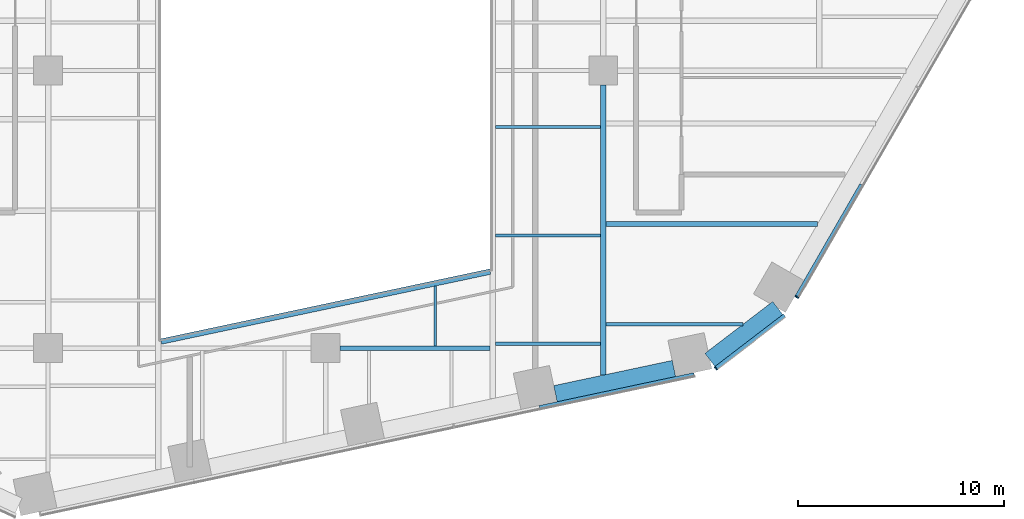
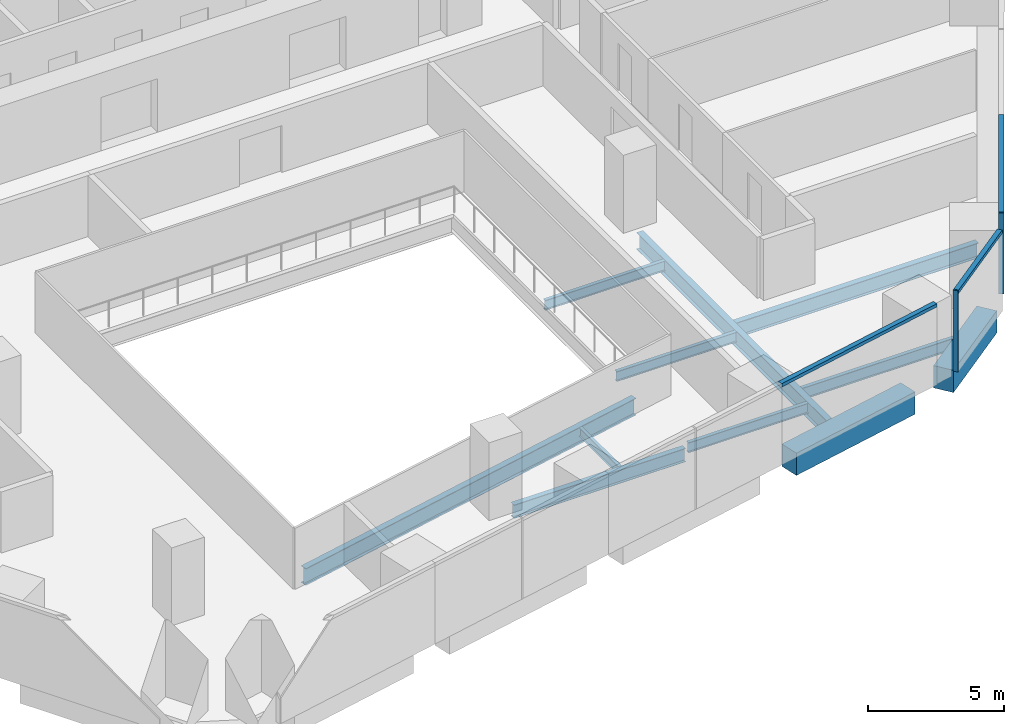
# One storey, part 5 of 20: 11 beams, 5 members, 3 elements without a shape of their own.
"""IFC4 building model written with IfcOpenShell, lengths in metres."""

from ifc_helpers import new_model, si_unit, direction, frame, origin, origin_2d, place, context, subcontext, project, spatial, rectangle, i_section, extrude, material, layer, layer_set, material_profile, profile_set, type_object, element, aggregate, save


model = new_model("IFC4")

# Units and contexts
model_context = context("Model", 3, precision=1e-05, world=origin(), true_north=direction((0.0, 1.0)))
body_context = subcontext(model_context, "Body", "Model", "MODEL_VIEW")
ifc_project = project(units=[si_unit("LENGTHUNIT", "METRE"), si_unit("AREAUNIT", "SQUARE_METRE"), si_unit("VOLUMEUNIT", "CUBIC_METRE"), si_unit("PLANEANGLEUNIT", "RADIAN"), si_unit("MASSUNIT", "GRAM", prefix="KILO")], contexts=[model_context])

# Site, building, storey
site_placement = place(None, origin())
site = spatial("IfcSite", under=ifc_project, at=site_placement, CompositionType="ELEMENT")
building_placement = place(site_placement, origin())
building = spatial("IfcBuilding", under=site, at=building_placement, Name="Isthmus Gate Tower", CompositionType="ELEMENT")
storey_placement = place(building_placement, frame((0.0, 0.0, 57.89990234375)))
storey = spatial("IfcBuildingStorey", under=building, at=storey_placement, Name="L12", CompositionType="ELEMENT", Elevation=57.89990234375)

# Curtain wall, member
ifc_material_1 = material(Name="Aluminium, pale champagne anodised", Category="aluminium")
ifc_layer = layer(ifc_material_1, 0.199951171875)
ifc_layer_set = layer_set([ifc_layer], Name="CW-1 UNITISED CURTAIN WALL 200 DEEP")
curtain_wall_type = type_object("IfcCurtainWallType", Name="CW-1 UNITISED CURTAIN WALL 200 DEEP", PredefinedType="NOTDEFINED", material=ifc_layer_set)
curtain_wall_1_placement = place(storey_placement, origin())
curtain_wall_1 = element("IfcCurtainWall", 1, at=curtain_wall_1_placement, inside=storey, type_object=curtain_wall_type, Name="CW-1 S-SE L12", PredefinedType="NOTDEFINED")
ifc_material_2 = material(Name="Aluminium, pale champagne anodised", Category="aluminium")
ifc_material_profile_1 = material_profile(ifc_material_2, rectangle(XDim=0.06005859375, YDim=0.199951171875, at=origin_2d()), Name="60x200")
ifc_profile_set_1 = profile_set([ifc_material_profile_1], Name="Aluminium, pale champagne anodised")
member_type_1 = type_object("IfcMemberType", Name="CW-1 MULLION 60 X 200", PredefinedType="MULLION", material=ifc_profile_set_1)
member_1_placement = place(storey_placement, frame((18.978759765625, -27.982421875, 0.0), z_axis=(0.0, 0.0, 1.0), x_axis=(0.794188594387, 0.607671355706, 0.0)))
member_1 = element("IfcMember", 2, at=member_1_placement, type_object=member_type_1, Name="CW-1 mullion", PredefinedType="MULLION", context=body_context, shape_type="SweptSolid", body=[
    extrude(rectangle(XDim=0.06005859375, YDim=0.199951171875, at=origin_2d()), origin(), (0.0, 0.0, 1.0), 3.650146484375),
])

curtain_wall_2_placement = place(storey_placement, origin())
curtain_wall_2 = element("IfcCurtainWall", 3, at=curtain_wall_2_placement, inside=storey, type_object=curtain_wall_type, Name="CW-1 SE L12", PredefinedType="NOTDEFINED")
member_2_placement = place(storey_placement, frame((22.91357421875, -24.5126953125, 0.0), z_axis=(0.0, 0.0, 1.0), x_axis=(0.5, 0.866025403784, 0.0)))
member_2 = element("IfcMember", 4, at=member_2_placement, type_object=member_type_1, Name="CW-1 mullion", PredefinedType="MULLION", context=body_context, shape_type="SweptSolid", body=[
    extrude(rectangle(XDim=0.06005859375, YDim=0.199951171875, at=origin_2d()), origin(), (0.0, 0.0, 1.0), 3.650146484375),
])

curtain_wall_3_placement = place(storey_placement, origin())
curtain_wall_3 = element("IfcCurtainWall", 5, at=curtain_wall_3_placement, inside=storey, type_object=curtain_wall_type, Name="CW-1 S L12", PredefinedType="NOTDEFINED")
ifc_material_3 = material(Name="Aluminium, pale champagne anodised", Category="aluminium")
ifc_material_profile_2 = material_profile(ifc_material_3, rectangle(XDim=0.199951171875, YDim=0.14990234375, at=origin_2d()), Name="200x150")
ifc_profile_set_2 = profile_set([ifc_material_profile_2], Name="Aluminium, pale champagne anodised")
member_type_2 = type_object("IfcMemberType", Name="CW-1 TRANSOM 200 X 150", PredefinedType="USERDEFINED", material=ifc_profile_set_2)
member_3_placement = place(storey_placement, frame((10.400146484375, -29.8916015625, 3.5751953125), z_axis=(0.978149085817, 0.207904703929, 0.0), x_axis=(-0.207904703929, 0.978149085817, 0.0)))
member_3 = element("IfcMember", 6, at=member_3_placement, type_object=member_type_2, Name="CW-1 transom", ObjectType="TRANSOM", PredefinedType="USERDEFINED", context=body_context, shape_type="SweptSolid", body=[
    extrude(rectangle(XDim=0.199951171875, YDim=0.14990234375, at=origin_2d()), origin(), (0.0, 0.0, 1.0), 7.689208984375),
])
aggregate(curtain_wall_3, [member_3])

# Member
member_4_placement = place(storey_placement, frame((19.002685546875, -27.96435546875, 3.5751953125), z_axis=(0.794175498212, 0.607688471209, 0.0), x_axis=(-0.607688471209, 0.794175498212, 0.0)))
member_4 = element("IfcMember", 7, at=member_4_placement, type_object=member_type_2, Name="CW-1 transom", ObjectType="TRANSOM", PredefinedType="USERDEFINED", context=body_context, shape_type="SweptSolid", body=[
    extrude(rectangle(XDim=0.199951171875, YDim=0.14990234375, at=origin_2d()), origin(), (0.0, 0.0, 1.0), 4.181396484375),
])

aggregate(curtain_wall_1, [member_1, member_4])

member_5_placement = place(storey_placement, frame((22.928466796875, -24.486572265625, 3.5751953125), z_axis=(0.50002426866, 0.866011391814, 0.0), x_axis=(-0.866011391814, 0.50002426866, 0.0)))
member_5 = element("IfcMember", 8, at=member_5_placement, type_object=member_type_2, Name="CW-1 transom", ObjectType="TRANSOM", PredefinedType="USERDEFINED", context=body_context, shape_type="SweptSolid", body=[
    extrude(rectangle(XDim=0.199951171875, YDim=0.14990234375, at=origin_2d()), origin(), (0.0, 0.0, 1.0), 6.278564453125),
])

aggregate(curtain_wall_2, [member_2, member_5])

# Beams
ifc_material_4 = material(Name="Concrete f'c 70 MPa", Category="concrete")
ifc_material_profile_3 = material_profile(ifc_material_4, rectangle(XDim=0.800048828125, YDim=1.0, at=origin_2d()), Name="RC 800X1000")
ifc_profile_set_3 = profile_set([ifc_material_profile_3], Name="Concrete f'c 70 MPa")
beam_type_1 = type_object("IfcBeamType", Name="RC SPANDREL 800 X 1000", PredefinedType="SPANDREL", material=ifc_profile_set_3)
beam_1_placement = place(storey_placement, frame((21.98681640625, -25.051513671875, -0.5), z_axis=(-0.794205941875, -0.607648682949, 0.0), x_axis=(0.607648682949, -0.794205941875, 0.0)))
element("IfcBeam", 9, at=beam_1_placement, inside=storey, type_object=beam_type_1, Name="str-spandrel-L12-09", PredefinedType="SPANDREL", context=body_context, shape_type="SweptSolid", body=[
    extrude(rectangle(XDim=0.800048828125, YDim=1.0, at=origin_2d()), origin(), (0.0, 0.0, 1.0), 4.15234375),
])
beam_2_placement = place(storey_placement, frame((16.937255859375, -27.990966796875, -0.5), z_axis=(-0.97815168619, -0.207892469327, 0.0), x_axis=(0.207892469327, -0.97815168619, 0.0)))
element("IfcBeam", 10, at=beam_2_placement, inside=storey, type_object=beam_type_1, Name="str-spandrel-L12-10", PredefinedType="SPANDREL", context=body_context, shape_type="SweptSolid", body=[
    extrude(rectangle(XDim=0.800048828125, YDim=1.0, at=origin_2d()), origin(), (0.0, 0.0, 1.0), 5.889404296875),
])
ifc_material_5 = material(Name="Structural steel ASTM A992 Gr 50", Category="steel")
ifc_material_profile_4 = material_profile(ifc_material_5, i_section(OverallWidth=0.1396484375, OverallDepth=0.4033203125, WebThickness=0.00634765625, FlangeThickness=0.010986328125, at=origin_2d()), Name="W16X31")
ifc_profile_set_4 = profile_set([ifc_material_profile_4], Name="Structural steel ASTM A992 Gr 50")
beam_type_2 = type_object("IfcBeamType", Name="STEEL FLOOR BEAM W16X31", PredefinedType="JOIST", material=ifc_profile_set_4)
beam_3_placement = place(storey_placement, frame((5.333251953125, -26.8857421875, -0.3515625), z_axis=(0.0, 1.0, 0.0), x_axis=(-1.0, 0.0, 0.0)))
element("IfcBeam", 11, at=beam_3_placement, inside=storey, type_object=beam_type_2, Name="str-beam-L12-17-00", PredefinedType="JOIST", context=body_context, shape_type="SweptSolid", body=[
    extrude(i_section(OverallWidth=0.1396484375, OverallDepth=0.4033203125, WebThickness=0.00634765625, FlangeThickness=0.010986328125, at=origin_2d()), origin(), (0.0, 0.0, 1.0), 2.903076171875),
])
ifc_material_6 = material(Name="Structural steel ASTM A992 Gr 50", Category="steel")
ifc_material_profile_5 = material_profile(ifc_material_6, i_section(OverallWidth=0.15234375, OverallDepth=0.45068359375, WebThickness=0.0078125, FlangeThickness=0.010986328125, at=origin_2d()), Name="W18X35")
ifc_profile_set_5 = profile_set([ifc_material_profile_5], Name="Structural steel ASTM A992 Gr 50")
beam_type_3 = type_object("IfcBeamType", Name="STEEL FLOOR BEAM W18X35", PredefinedType="JOIST", material=ifc_profile_set_5)
for number, where, z_axis, x_axis, name in (
    (12, (8.263427734375, -26.788818359375, -0.375244140625), (1.0, 0.0, 0.0), (0.0, 1.0, 0.0), "str-beam-L12-22-00"),
    (13, (8.263427734375, -21.51513671875, -0.375244140625), (1.0, 0.0, 0.0), (0.0, 1.0, 0.0), "str-beam-L12-22-01"),
    (14, (8.263427734375, -16.241455078125, -0.375244140625), (1.0, 0.0, 0.0), (0.0, 1.0, 0.0), "str-beam-L12-22-02"),
):
    element("IfcBeam", number, at=place(storey_placement, frame(where, z_axis=z_axis, x_axis=x_axis)), inside=storey, type_object=beam_type_3, Name=name, PredefinedType="JOIST", context=body_context, shape_type="SweptSolid", body=[
        extrude(i_section(OverallWidth=0.15234375, OverallDepth=0.45068359375, WebThickness=0.0078125, FlangeThickness=0.010986328125, at=origin_2d()), origin(), (0.0, 0.0, 1.0), 5.103271484375),
    ])
ifc_material_7 = material(Name="Structural steel ASTM A992 Gr 50", Category="steel")
ifc_material_profile_6 = material_profile(ifc_material_7, i_section(OverallWidth=0.1650390625, OverallDepth=0.52392578125, WebThickness=0.009521484375, FlangeThickness=0.010986328125, at=origin_2d()), Name="W21X44")
ifc_profile_set_6 = profile_set([ifc_material_profile_6], Name="Structural steel ASTM A992 Gr 50")
beam_type_4 = type_object("IfcBeamType", Name="STEEL FLOOR BEAM W21X44", PredefinedType="JOIST", material=ifc_profile_set_6)
beam_4_placement = place(storey_placement, frame((13.63330078125, -25.842529296875, -0.411865234375), z_axis=(1.0, 0.0, 0.0), x_axis=(0.0, 1.0, 0.0)))
element("IfcBeam", 15, at=beam_4_placement, inside=storey, type_object=beam_type_4, Name="str-beam-L12-28-00", PredefinedType="JOIST", context=body_context, shape_type="SweptSolid", body=[
    extrude(i_section(OverallWidth=0.1650390625, OverallDepth=0.52392578125, WebThickness=0.009521484375, FlangeThickness=0.010986328125, at=origin_2d()), origin(), (0.0, 0.0, 1.0), 6.661376953125),
])
ifc_material_8 = material(Name="Structural steel ASTM A992 Gr 50", Category="steel")
ifc_material_profile_7 = material_profile(ifc_material_8, i_section(OverallWidth=0.25390625, OverallDepth=0.679443359375, WebThickness=0.010986328125, FlangeThickness=0.015869140625, at=origin_2d()), Name="W27X84")
ifc_profile_set_7 = profile_set([ifc_material_profile_7], Name="Structural steel ASTM A992 Gr 50")
beam_type_5 = type_object("IfcBeamType", Name="STEEL FLOOR BEAM W27X84", PredefinedType="JOIST", material=ifc_profile_set_7)
beam_5_placement = place(storey_placement, frame((13.63330078125, -20.958740234375, -0.489501953125), z_axis=(1.0, 0.0, 0.0), x_axis=(0.0, 1.0, 0.0)))
element("IfcBeam", 16, at=beam_5_placement, inside=storey, type_object=beam_type_5, Name="str-beam-L12-28-01", PredefinedType="JOIST", context=body_context, shape_type="SweptSolid", body=[
    extrude(i_section(OverallWidth=0.25390625, OverallDepth=0.679443359375, WebThickness=0.010986328125, FlangeThickness=0.015869140625, at=origin_2d()), origin(), (0.0, 0.0, 1.0), 10.292724609375),
])
ifc_material_9 = material(Name="Structural steel ASTM A992 Gr 50", Category="steel")
ifc_material_profile_8 = material_profile(ifc_material_9, i_section(OverallWidth=0.228515625, OverallDepth=0.603271484375, WebThickness=0.010986328125, FlangeThickness=0.014404296875, at=origin_2d()), Name="W24X68")
ifc_profile_set_8 = profile_set([ifc_material_profile_8], Name="Structural steel ASTM A992 Gr 50")
beam_type_6 = type_object("IfcBeamType", Name="STEEL GIRDER W24X68", PredefinedType="BEAM", material=ifc_profile_set_8)
beam_6_placement = place(storey_placement, frame((0.699951171875, -27.0, -0.451416015625), z_axis=(1.0, 0.0, 0.0), x_axis=(0.0, 1.0, 0.0)))
element("IfcBeam", 17, at=beam_6_placement, inside=storey, type_object=beam_type_6, Name="str-girder-L12-04", PredefinedType="BEAM", context=body_context, shape_type="SweptSolid", body=[
    extrude(i_section(OverallWidth=0.228515625, OverallDepth=0.603271484375, WebThickness=0.010986328125, FlangeThickness=0.014404296875, at=origin_2d()), origin(), (0.0, 0.0, 1.0), 7.300048828125),
])
ifc_material_10 = material(Name="Structural steel ASTM A992 Gr 50", Category="steel")
ifc_material_profile_9 = material_profile(ifc_material_10, i_section(OverallWidth=0.2666015625, OverallDepth=0.7587890625, WebThickness=0.014404296875, FlangeThickness=0.01904296875, at=origin_2d()), Name="W30X108")
ifc_profile_set_9 = profile_set([ifc_material_profile_9], Name="Structural steel ASTM A992 Gr 50")
beam_type_7 = type_object("IfcBeamType", Name="STEEL GIRDER W30X108", PredefinedType="BEAM", material=ifc_profile_set_9)
beam_7_placement = place(storey_placement, frame((13.5, -28.3125, -0.529296875), z_axis=(0.0, 1.0, 0.0), x_axis=(-1.0, 0.0, 0.0)))
element("IfcBeam", 18, at=beam_7_placement, inside=storey, type_object=beam_type_7, Name="str-girder-L12-31", PredefinedType="BEAM", context=body_context, shape_type="SweptSolid", body=[
    extrude(i_section(OverallWidth=0.2666015625, OverallDepth=0.7587890625, WebThickness=0.014404296875, FlangeThickness=0.01904296875, at=origin_2d()), origin(), (0.0, 0.0, 1.0), 14.112548828125),
])
ifc_material_11 = material(Name="Structural steel ASTM A992 Gr 50", Category="steel")
ifc_material_profile_10 = material_profile(ifc_material_11, i_section(OverallWidth=0.2666015625, OverallDepth=0.7587890625, WebThickness=0.014404296875, FlangeThickness=0.01904296875, at=origin_2d()), Name="W30X108")
ifc_profile_set_10 = profile_set([ifc_material_profile_10], Name="Structural steel ASTM A992 Gr 50")
beam_type_8 = type_object("IfcBeamType", Name="STEEL TRIMMER W30X108", PredefinedType="BEAM", material=ifc_profile_set_10)
beam_8_placement = place(storey_placement, frame((-8.0, -26.680419921875, -0.529296875), z_axis=(0.978147924985, 0.20791016533, 0.0), x_axis=(-0.20791016533, 0.978147924985, 0.0)))
element("IfcBeam", 19, at=beam_8_placement, inside=storey, type_object=beam_type_8, Name="str-trimmer-L12-03", PredefinedType="BEAM", context=body_context, shape_type="SweptSolid", body=[
    extrude(i_section(OverallWidth=0.2666015625, OverallDepth=0.7587890625, WebThickness=0.014404296875, FlangeThickness=0.01904296875, at=origin_2d()), origin(), (0.0, 0.0, 1.0), 16.357421875),
])

save(model, "model.ifc")
